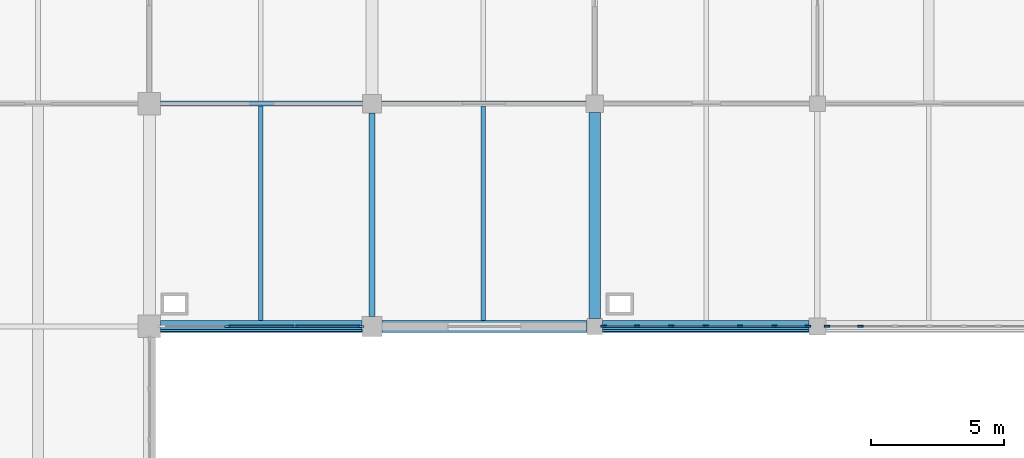
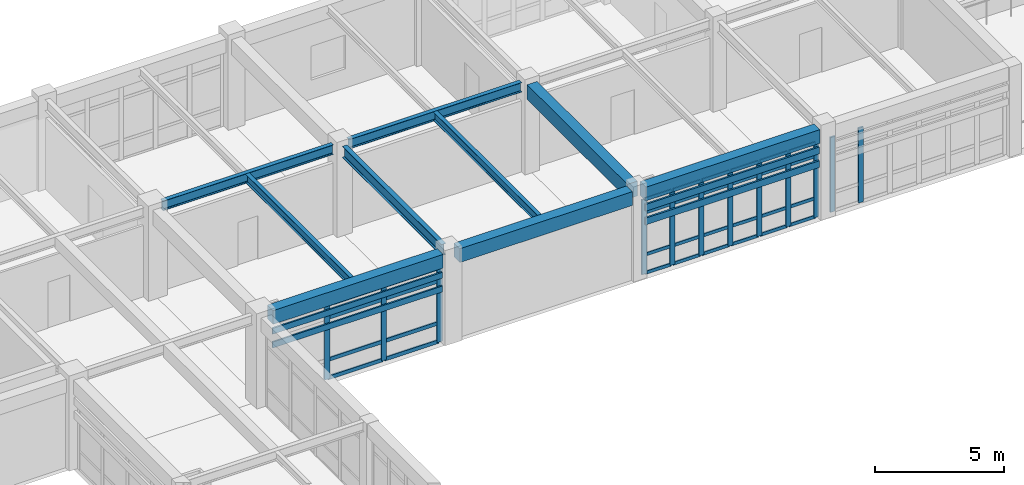
# One storey, part 38 of 78: 48 members, 9 beams, 3 elements without a shape of their own.
"""IFC4 building model written with IfcOpenShell, lengths in metres."""

from ifc_helpers import new_model, si_unit, direction, frame, origin, origin_2d, place, context, subcontext, project, spatial, rectangle, i_section, extrude, material, layer, layer_set, material_profile, profile_set, type_object, element, aggregate, save


model = new_model("IFC4")

# Units and contexts
model_context = context("Model", 3, precision=1e-05, world=origin(), true_north=direction((0.0, 1.0)))
body_context = subcontext(model_context, "Body", "Model", "MODEL_VIEW")
ifc_project = project(units=[si_unit("LENGTHUNIT", "METRE"), si_unit("AREAUNIT", "SQUARE_METRE"), si_unit("VOLUMEUNIT", "CUBIC_METRE"), si_unit("PLANEANGLEUNIT", "RADIAN"), si_unit("MASSUNIT", "GRAM", prefix="KILO")], contexts=[model_context])

# Site, building, storey
site_placement = place(None, origin())
site = spatial("IfcSite", under=ifc_project, at=site_placement, CompositionType="ELEMENT")
building_placement = place(site_placement, origin())
building = spatial("IfcBuilding", under=site, at=building_placement, Name="Porcellanite Civic Hall", CompositionType="ELEMENT")
storey_placement = place(building_placement, frame((0.0, 0.0, 10.260009765625)))
storey = spatial("IfcBuildingStorey", under=building, at=storey_placement, Name="L02", CompositionType="ELEMENT", Elevation=10.260009765625)

# Beams
ifc_material_1 = material(Name="Concrete N50 (50 MPa)", Category="concrete")
ifc_material_profile_1 = material_profile(ifc_material_1, rectangle(XDim=0.449951171875, YDim=0.64990234375, at=origin_2d()), Name="RC-450x650")
ifc_profile_set_1 = profile_set([ifc_material_profile_1], Name="Concrete N50 (50 MPa)")
beam_type_1 = type_object("IfcBeamType", Name="BM-RC650", PredefinedType="SPANDREL", material=ifc_profile_set_1)
beam_1_placement = place(storey_placement, frame((126.424560546875, 100.800048828125, 3.9150390625), z_axis=(1.0, 0.0, 0.0), x_axis=(0.0, 1.0, 0.0)))
element("IfcBeam", 1, at=beam_1_placement, inside=storey, type_object=beam_type_1, Name="Beam X L02 16-13", PredefinedType="SPANDREL", context=body_context, shape_type="SweptSolid", body=[
    extrude(rectangle(XDim=0.449951171875, YDim=0.64990234375, at=origin_2d()), origin(), (0.0, 0.0, 1.0), 7.600830078125),
])
beam_2_placement = place(storey_placement, frame((134.7744140625, 100.800048828125, 3.9150390625), z_axis=(1.0, 0.0, 0.0), x_axis=(0.0, 1.0, 0.0)))
element("IfcBeam", 2, at=beam_2_placement, inside=storey, type_object=beam_type_1, Name="Beam X L02 17-13", PredefinedType="SPANDREL", context=body_context, shape_type="SweptSolid", body=[
    extrude(rectangle(XDim=0.449951171875, YDim=0.64990234375, at=origin_2d()), origin(), (0.0, 0.0, 1.0), 7.72607421875),
])
beam_3_placement = place(storey_placement, frame((143.099609375, 100.800048828125, 3.9150390625), z_axis=(1.0, 0.0, 0.0), x_axis=(0.0, 1.0, 0.0)))
element("IfcBeam", 3, at=beam_3_placement, inside=storey, type_object=beam_type_1, Name="Beam X L02 18-13", PredefinedType="SPANDREL", context=body_context, shape_type="SweptSolid", body=[
    extrude(rectangle(XDim=0.449951171875, YDim=0.64990234375, at=origin_2d()), origin(), (0.0, 0.0, 1.0), 7.77587890625),
])
ifc_material_2 = material(Name="Concrete N50 (50 MPa)", Category="concrete")
ifc_material_profile_2 = material_profile(ifc_material_2, rectangle(XDim=0.449951171875, YDim=0.699951171875, at=origin_2d()), Name="RC-450x700")
ifc_profile_set_2 = profile_set([ifc_material_profile_2], Name="Concrete N50 (50 MPa)")
beam_type_2 = type_object("IfcBeamType", Name="BM-RC700", PredefinedType="BEAM", material=ifc_profile_set_2)
beam_4_placement = place(storey_placement, frame((142.800048828125, 101.099609375, 3.889892578125), z_axis=(0.0, 1.0, 0.0), x_axis=(-1.0, 0.0, 0.0)))
element("IfcBeam", 4, at=beam_4_placement, inside=storey, type_object=beam_type_2, Name="Beam Y L02 18-13", PredefinedType="BEAM", context=body_context, shape_type="SweptSolid", body=[
    extrude(rectangle(XDim=0.449951171875, YDim=0.699951171875, at=origin_2d()), origin(), (0.0, 0.0, 1.0), 7.77587890625),
])

# Curtain wall, members
ifc_material_3 = material(Name="Anodised aluminium and solar laminated glass", Category="aluminium")
ifc_layer_1 = layer(ifc_material_3, 0.179931640625)
ifc_layer_set_1 = layer_set([ifc_layer_1], Name="Anodised aluminium and solar laminated glass")
curtain_wall_type_1 = type_object("IfcCurtainWallType", Name="CW-SYS08", PredefinedType="NOTDEFINED", material=ifc_layer_set_1)
curtain_wall_1_placement = place(storey_placement, origin())
curtain_wall_1 = element("IfcCurtainWall", 5, at=curtain_wall_1_placement, inside=storey, type_object=curtain_wall_type_1, Name="Curtain wall CW-172", PredefinedType="NOTDEFINED")
ifc_material_4 = material(Name="Anodised aluminium 6063-T6", Category="aluminium")
ifc_material_profile_3 = material_profile(ifc_material_4, rectangle(XDim=0.080078125, YDim=0.239990234375, at=origin_2d()), Name="AL-80x240")
ifc_profile_set_3 = profile_set([ifc_material_profile_3], Name="Anodised aluminium 6063-T6")
member_type_1 = type_object("IfcMemberType", Name="CWM-01", PredefinedType="MULLION", material=ifc_profile_set_3)
member_1_placement = place(storey_placement, frame((133.98388671875, 100.800048828125, 0.0), z_axis=(0.0, 0.0, 1.0), x_axis=(0.0, -1.0, 0.0)))
member_1 = element("IfcMember", 6, at=member_1_placement, type_object=member_type_1, Name="CW-172 mullion 1", PredefinedType="MULLION", context=body_context, shape_type="SweptSolid", body=[
    extrude(rectangle(XDim=0.080078125, YDim=0.239990234375, at=origin_2d()), origin(), (0.0, 0.0, 1.0), 3.5400390625),
])
member_2_placement = place(storey_placement, frame((131.491455078125, 100.800048828125, 0.0), z_axis=(0.0, 0.0, 1.0), x_axis=(0.0, -1.0, 0.0)))
member_2 = element("IfcMember", 7, at=member_2_placement, type_object=member_type_1, Name="CW-172 mullion 2", PredefinedType="MULLION", context=body_context, shape_type="SweptSolid", body=[
    extrude(rectangle(XDim=0.080078125, YDim=0.239990234375, at=origin_2d()), origin(), (0.0, 0.0, 1.0), 3.5400390625),
])
member_3_placement = place(storey_placement, frame((128.958740234375, 100.800048828125, 0.0), z_axis=(0.0, 0.0, 1.0), x_axis=(0.0, -1.0, 0.0)))
member_3 = element("IfcMember", 8, at=member_3_placement, type_object=member_type_1, Name="CW-172 mullion 3", PredefinedType="MULLION", context=body_context, shape_type="SweptSolid", body=[
    extrude(rectangle(XDim=0.080078125, YDim=0.239990234375, at=origin_2d()), origin(), (0.0, 0.0, 1.0), 3.5400390625),
])

ifc_material_5 = material(Name="Anodised aluminium and solar laminated glass", Category="aluminium")
ifc_layer_2 = layer(ifc_material_5, 0.179931640625)
ifc_layer_set_2 = layer_set([ifc_layer_2], Name="Anodised aluminium and solar laminated glass")
curtain_wall_type_2 = type_object("IfcCurtainWallType", Name="CW-SYS02", PredefinedType="NOTDEFINED", material=ifc_layer_set_2)
curtain_wall_2_placement = place(storey_placement, origin())
curtain_wall_2 = element("IfcCurtainWall", 9, at=curtain_wall_2_placement, inside=storey, type_object=curtain_wall_type_2, Name="Curtain wall CW-176", PredefinedType="NOTDEFINED")
ifc_material_6 = material(Name="Anodised aluminium 6063-T6", Category="aluminium")
ifc_material_profile_4 = material_profile(ifc_material_6, rectangle(XDim=0.074951171875, YDim=0.219970703125, at=origin_2d()), Name="AL-75x220")
ifc_profile_set_4 = profile_set([ifc_material_profile_4], Name="Anodised aluminium 6063-T6")
member_type_2 = type_object("IfcMemberType", Name="CWM-03", PredefinedType="MULLION", material=ifc_profile_set_4)
member_4_placement = place(storey_placement, frame((150.83642578125, 100.800048828125, 0.0), z_axis=(0.0, 0.0, 1.0), x_axis=(0.0, -1.0, 0.0)))
member_4 = element("IfcMember", 10, at=member_4_placement, type_object=member_type_2, Name="CW-176 mullion 1", PredefinedType="MULLION", context=body_context, shape_type="SweptSolid", body=[
    extrude(rectangle(XDim=0.074951171875, YDim=0.219970703125, at=origin_2d()), origin(), (0.0, 0.0, 1.0), 3.5400390625),
])
member_5_placement = place(storey_placement, frame((149.57861328125, 100.800048828125, 0.0), z_axis=(0.0, 0.0, 1.0), x_axis=(0.0, -1.0, 0.0)))
member_5 = element("IfcMember", 11, at=member_5_placement, type_object=member_type_2, Name="CW-176 mullion 2", PredefinedType="MULLION", context=body_context, shape_type="SweptSolid", body=[
    extrude(rectangle(XDim=0.074951171875, YDim=0.219970703125, at=origin_2d()), origin(), (0.0, 0.0, 1.0), 3.5400390625),
])
member_6_placement = place(storey_placement, frame((148.282958984375, 100.800048828125, 0.0), z_axis=(0.0, 0.0, 1.0), x_axis=(0.0, -1.0, 0.0)))
member_6 = element("IfcMember", 12, at=member_6_placement, type_object=member_type_2, Name="CW-176 mullion 3", PredefinedType="MULLION", context=body_context, shape_type="SweptSolid", body=[
    extrude(rectangle(XDim=0.074951171875, YDim=0.219970703125, at=origin_2d()), origin(), (0.0, 0.0, 1.0), 3.5400390625),
])
member_7_placement = place(storey_placement, frame((146.987548828125, 100.800048828125, 0.0), z_axis=(0.0, 0.0, 1.0), x_axis=(0.0, -1.0, 0.0)))
member_7 = element("IfcMember", 13, at=member_7_placement, type_object=member_type_2, Name="CW-176 mullion 4", PredefinedType="MULLION", context=body_context, shape_type="SweptSolid", body=[
    extrude(rectangle(XDim=0.074951171875, YDim=0.219970703125, at=origin_2d()), origin(), (0.0, 0.0, 1.0), 3.5400390625),
])
member_8_placement = place(storey_placement, frame((145.69189453125, 100.800048828125, 0.0), z_axis=(0.0, 0.0, 1.0), x_axis=(0.0, -1.0, 0.0)))
member_8 = element("IfcMember", 14, at=member_8_placement, type_object=member_type_2, Name="CW-176 mullion 5", PredefinedType="MULLION", context=body_context, shape_type="SweptSolid", body=[
    extrude(rectangle(XDim=0.074951171875, YDim=0.219970703125, at=origin_2d()), origin(), (0.0, 0.0, 1.0), 3.5400390625),
])
member_9_placement = place(storey_placement, frame((144.396484375, 100.800048828125, 0.0), z_axis=(0.0, 0.0, 1.0), x_axis=(0.0, -1.0, 0.0)))
member_9 = element("IfcMember", 15, at=member_9_placement, type_object=member_type_2, Name="CW-176 mullion 6", PredefinedType="MULLION", context=body_context, shape_type="SweptSolid", body=[
    extrude(rectangle(XDim=0.074951171875, YDim=0.219970703125, at=origin_2d()), origin(), (0.0, 0.0, 1.0), 3.5400390625),
])
member_10_placement = place(storey_placement, frame((143.138427734375, 100.800048828125, 0.0), z_axis=(0.0, 0.0, 1.0), x_axis=(0.0, -1.0, 0.0)))
member_10 = element("IfcMember", 16, at=member_10_placement, type_object=member_type_2, Name="CW-176 mullion 7", PredefinedType="MULLION", context=body_context, shape_type="SweptSolid", body=[
    extrude(rectangle(XDim=0.074951171875, YDim=0.219970703125, at=origin_2d()), origin(), (0.0, 0.0, 1.0), 3.5400390625),
])

curtain_wall_3_placement = place(storey_placement, origin())
curtain_wall_3 = element("IfcCurtainWall", 17, at=curtain_wall_3_placement, inside=storey, type_object=curtain_wall_type_2, Name="Curtain wall CW-179", PredefinedType="NOTDEFINED")
member_11_placement = place(storey_placement, frame((152.82568359375, 100.800048828125, 0.0), z_axis=(0.0, 0.0, 1.0), x_axis=(0.0, -1.0, 0.0)))
member_11 = element("IfcMember", 18, at=member_11_placement, type_object=member_type_2, Name="CW-179 mullion 6", PredefinedType="MULLION", context=body_context, shape_type="SweptSolid", body=[
    extrude(rectangle(XDim=0.074951171875, YDim=0.219970703125, at=origin_2d()), origin(), (0.0, 0.0, 1.0), 3.5400390625),
])
member_12_placement = place(storey_placement, frame((151.5634765625, 100.800048828125, 0.0), z_axis=(0.0, 0.0, 1.0), x_axis=(0.0, -1.0, 0.0)))
member_12 = element("IfcMember", 19, at=member_12_placement, type_object=member_type_2, Name="CW-179 mullion 7", PredefinedType="MULLION", context=body_context, shape_type="SweptSolid", body=[
    extrude(rectangle(XDim=0.074951171875, YDim=0.219970703125, at=origin_2d()), origin(), (0.0, 0.0, 1.0), 3.5400390625),
])
aggregate(curtain_wall_3, [member_11, member_12])

# Member
ifc_material_7 = material(Name="Anodised aluminium 6063-T6", Category="aluminium")
ifc_material_profile_5 = material_profile(ifc_material_7, rectangle(XDim=0.070068359375, YDim=0.175048828125, at=origin_2d()), Name="AL-70x175")
ifc_profile_set_5 = profile_set([ifc_material_profile_5], Name="Anodised aluminium 6063-T6")
member_type_3 = type_object("IfcMemberType", Name="CWT-01", PredefinedType="USERDEFINED", material=ifc_profile_set_5)
member_13_placement = place(storey_placement, frame((133.944091796875, 100.800048828125, 0.034912109375), z_axis=(-1.0, 0.0, 0.0), x_axis=(0.0, -1.0, 0.0)))
member_13 = element("IfcMember", 20, at=member_13_placement, type_object=member_type_3, Name="CW-172 transom 1.1", ObjectType="TRANSOM", PredefinedType="USERDEFINED", context=body_context, shape_type="SweptSolid", body=[
    extrude(rectangle(XDim=0.070068359375, YDim=0.175048828125, at=origin_2d()), origin(), (0.0, 0.0, 1.0), 2.412841796875),
])

member_14_placement = place(storey_placement, frame((133.944091796875, 100.800048828125, 0.89990234375), z_axis=(-1.0, 0.0, 0.0), x_axis=(0.0, -1.0, 0.0)))
member_14 = element("IfcMember", 21, at=member_14_placement, type_object=member_type_3, Name="CW-172 transom 1.2", ObjectType="TRANSOM", PredefinedType="USERDEFINED", context=body_context, shape_type="SweptSolid", body=[
    extrude(rectangle(XDim=0.070068359375, YDim=0.175048828125, at=origin_2d()), origin(), (0.0, 0.0, 1.0), 2.412841796875),
])

member_15_placement = place(storey_placement, frame((133.944091796875, 100.800048828125, 2.889892578125), z_axis=(-1.0, 0.0, 0.0), x_axis=(0.0, -1.0, 0.0)))
member_15 = element("IfcMember", 22, at=member_15_placement, type_object=member_type_3, Name="CW-172 transom 1.3", ObjectType="TRANSOM", PredefinedType="USERDEFINED", context=body_context, shape_type="SweptSolid", body=[
    extrude(rectangle(XDim=0.070068359375, YDim=0.175048828125, at=origin_2d()), origin(), (0.0, 0.0, 1.0), 2.412841796875),
])

member_16_placement = place(storey_placement, frame((133.944091796875, 100.800048828125, 3.5048828125), z_axis=(-1.0, 0.0, 0.0), x_axis=(0.0, -1.0, 0.0)))
member_16 = element("IfcMember", 23, at=member_16_placement, type_object=member_type_3, Name="CW-172 transom 1.4", ObjectType="TRANSOM", PredefinedType="USERDEFINED", context=body_context, shape_type="SweptSolid", body=[
    extrude(rectangle(XDim=0.070068359375, YDim=0.175048828125, at=origin_2d()), origin(), (0.0, 0.0, 1.0), 2.412841796875),
])

member_17_placement = place(storey_placement, frame((131.451416015625, 100.800048828125, 0.034912109375), z_axis=(-1.0, 0.0, 0.0), x_axis=(0.0, -1.0, 0.0)))
member_17 = element("IfcMember", 24, at=member_17_placement, type_object=member_type_3, Name="CW-172 transom 2.1", ObjectType="TRANSOM", PredefinedType="USERDEFINED", context=body_context, shape_type="SweptSolid", body=[
    extrude(rectangle(XDim=0.070068359375, YDim=0.175048828125, at=origin_2d()), origin(), (0.0, 0.0, 1.0), 2.45263671875),
])

member_18_placement = place(storey_placement, frame((131.451416015625, 100.800048828125, 0.89990234375), z_axis=(-1.0, 0.0, 0.0), x_axis=(0.0, -1.0, 0.0)))
member_18 = element("IfcMember", 25, at=member_18_placement, type_object=member_type_3, Name="CW-172 transom 2.2", ObjectType="TRANSOM", PredefinedType="USERDEFINED", context=body_context, shape_type="SweptSolid", body=[
    extrude(rectangle(XDim=0.070068359375, YDim=0.175048828125, at=origin_2d()), origin(), (0.0, 0.0, 1.0), 2.45263671875),
])

member_19_placement = place(storey_placement, frame((131.451416015625, 100.800048828125, 2.889892578125), z_axis=(-1.0, 0.0, 0.0), x_axis=(0.0, -1.0, 0.0)))
member_19 = element("IfcMember", 26, at=member_19_placement, type_object=member_type_3, Name="CW-172 transom 2.3", ObjectType="TRANSOM", PredefinedType="USERDEFINED", context=body_context, shape_type="SweptSolid", body=[
    extrude(rectangle(XDim=0.070068359375, YDim=0.175048828125, at=origin_2d()), origin(), (0.0, 0.0, 1.0), 2.45263671875),
])

member_20_placement = place(storey_placement, frame((131.451416015625, 100.800048828125, 3.5048828125), z_axis=(-1.0, 0.0, 0.0), x_axis=(0.0, -1.0, 0.0)))
member_20 = element("IfcMember", 27, at=member_20_placement, type_object=member_type_3, Name="CW-172 transom 2.4", ObjectType="TRANSOM", PredefinedType="USERDEFINED", context=body_context, shape_type="SweptSolid", body=[
    extrude(rectangle(XDim=0.070068359375, YDim=0.175048828125, at=origin_2d()), origin(), (0.0, 0.0, 1.0), 2.45263671875),
])

aggregate(curtain_wall_1, [member_1, member_2, member_3, member_13, member_14, member_15, member_16, member_17, member_18, member_19, member_20])

ifc_material_8 = material(Name="Anodised aluminium 6063-T6", Category="aluminium")
ifc_material_profile_6 = material_profile(ifc_material_8, rectangle(XDim=0.06494140625, YDim=0.14990234375, at=origin_2d()), Name="AL-65x150")
ifc_profile_set_6 = profile_set([ifc_material_profile_6], Name="Anodised aluminium 6063-T6")
member_type_4 = type_object("IfcMemberType", Name="CWT-02", PredefinedType="USERDEFINED", material=ifc_profile_set_6)
member_21_placement = place(storey_placement, frame((150.799072265625, 100.800048828125, 0.032470703125), z_axis=(-1.0, 0.0, 0.0), x_axis=(0.0, -1.0, 0.0)))
member_21 = element("IfcMember", 28, at=member_21_placement, type_object=member_type_4, Name="CW-176 transom 1.1", ObjectType="TRANSOM", PredefinedType="USERDEFINED", context=body_context, shape_type="SweptSolid", body=[
    extrude(rectangle(XDim=0.06494140625, YDim=0.14990234375, at=origin_2d()), origin(), (0.0, 0.0, 1.0), 1.18310546875),
])

member_22_placement = place(storey_placement, frame((150.799072265625, 100.800048828125, 0.89990234375), z_axis=(-1.0, 0.0, 0.0), x_axis=(0.0, -1.0, 0.0)))
member_22 = element("IfcMember", 29, at=member_22_placement, type_object=member_type_4, Name="CW-176 transom 1.2", ObjectType="TRANSOM", PredefinedType="USERDEFINED", context=body_context, shape_type="SweptSolid", body=[
    extrude(rectangle(XDim=0.06494140625, YDim=0.14990234375, at=origin_2d()), origin(), (0.0, 0.0, 1.0), 1.18310546875),
])

member_23_placement = place(storey_placement, frame((150.799072265625, 100.800048828125, 2.889892578125), z_axis=(-1.0, 0.0, 0.0), x_axis=(0.0, -1.0, 0.0)))
member_23 = element("IfcMember", 30, at=member_23_placement, type_object=member_type_4, Name="CW-176 transom 1.3", ObjectType="TRANSOM", PredefinedType="USERDEFINED", context=body_context, shape_type="SweptSolid", body=[
    extrude(rectangle(XDim=0.06494140625, YDim=0.14990234375, at=origin_2d()), origin(), (0.0, 0.0, 1.0), 1.18310546875),
])

member_24_placement = place(storey_placement, frame((150.799072265625, 100.800048828125, 3.507568359375), z_axis=(-1.0, 0.0, 0.0), x_axis=(0.0, -1.0, 0.0)))
member_24 = element("IfcMember", 31, at=member_24_placement, type_object=member_type_4, Name="CW-176 transom 1.4", ObjectType="TRANSOM", PredefinedType="USERDEFINED", context=body_context, shape_type="SweptSolid", body=[
    extrude(rectangle(XDim=0.06494140625, YDim=0.14990234375, at=origin_2d()), origin(), (0.0, 0.0, 1.0), 1.18310546875),
])

member_25_placement = place(storey_placement, frame((149.541015625, 100.800048828125, 0.032470703125), z_axis=(-1.0, 0.0, 0.0), x_axis=(0.0, -1.0, 0.0)))
member_25 = element("IfcMember", 32, at=member_25_placement, type_object=member_type_4, Name="CW-176 transom 2.1", ObjectType="TRANSOM", PredefinedType="USERDEFINED", context=body_context, shape_type="SweptSolid", body=[
    extrude(rectangle(XDim=0.06494140625, YDim=0.14990234375, at=origin_2d()), origin(), (0.0, 0.0, 1.0), 1.220458984375),
])

member_26_placement = place(storey_placement, frame((149.541015625, 100.800048828125, 0.89990234375), z_axis=(-1.0, 0.0, 0.0), x_axis=(0.0, -1.0, 0.0)))
member_26 = element("IfcMember", 33, at=member_26_placement, type_object=member_type_4, Name="CW-176 transom 2.2", ObjectType="TRANSOM", PredefinedType="USERDEFINED", context=body_context, shape_type="SweptSolid", body=[
    extrude(rectangle(XDim=0.06494140625, YDim=0.14990234375, at=origin_2d()), origin(), (0.0, 0.0, 1.0), 1.220458984375),
])

member_27_placement = place(storey_placement, frame((149.541015625, 100.800048828125, 2.889892578125), z_axis=(-1.0, 0.0, 0.0), x_axis=(0.0, -1.0, 0.0)))
member_27 = element("IfcMember", 34, at=member_27_placement, type_object=member_type_4, Name="CW-176 transom 2.3", ObjectType="TRANSOM", PredefinedType="USERDEFINED", context=body_context, shape_type="SweptSolid", body=[
    extrude(rectangle(XDim=0.06494140625, YDim=0.14990234375, at=origin_2d()), origin(), (0.0, 0.0, 1.0), 1.220458984375),
])

member_28_placement = place(storey_placement, frame((149.541015625, 100.800048828125, 3.507568359375), z_axis=(-1.0, 0.0, 0.0), x_axis=(0.0, -1.0, 0.0)))
member_28 = element("IfcMember", 35, at=member_28_placement, type_object=member_type_4, Name="CW-176 transom 2.4", ObjectType="TRANSOM", PredefinedType="USERDEFINED", context=body_context, shape_type="SweptSolid", body=[
    extrude(rectangle(XDim=0.06494140625, YDim=0.14990234375, at=origin_2d()), origin(), (0.0, 0.0, 1.0), 1.220458984375),
])

member_29_placement = place(storey_placement, frame((148.24560546875, 100.800048828125, 0.032470703125), z_axis=(-1.0, 0.0, 0.0), x_axis=(0.0, -1.0, 0.0)))
member_29 = element("IfcMember", 36, at=member_29_placement, type_object=member_type_4, Name="CW-176 transom 3.1", ObjectType="TRANSOM", PredefinedType="USERDEFINED", context=body_context, shape_type="SweptSolid", body=[
    extrude(rectangle(XDim=0.06494140625, YDim=0.14990234375, at=origin_2d()), origin(), (0.0, 0.0, 1.0), 1.220703125),
])

member_30_placement = place(storey_placement, frame((148.24560546875, 100.800048828125, 0.89990234375), z_axis=(-1.0, 0.0, 0.0), x_axis=(0.0, -1.0, 0.0)))
member_30 = element("IfcMember", 37, at=member_30_placement, type_object=member_type_4, Name="CW-176 transom 3.2", ObjectType="TRANSOM", PredefinedType="USERDEFINED", context=body_context, shape_type="SweptSolid", body=[
    extrude(rectangle(XDim=0.06494140625, YDim=0.14990234375, at=origin_2d()), origin(), (0.0, 0.0, 1.0), 1.220703125),
])

member_31_placement = place(storey_placement, frame((148.24560546875, 100.800048828125, 2.889892578125), z_axis=(-1.0, 0.0, 0.0), x_axis=(0.0, -1.0, 0.0)))
member_31 = element("IfcMember", 38, at=member_31_placement, type_object=member_type_4, Name="CW-176 transom 3.3", ObjectType="TRANSOM", PredefinedType="USERDEFINED", context=body_context, shape_type="SweptSolid", body=[
    extrude(rectangle(XDim=0.06494140625, YDim=0.14990234375, at=origin_2d()), origin(), (0.0, 0.0, 1.0), 1.220703125),
])

member_32_placement = place(storey_placement, frame((148.24560546875, 100.800048828125, 3.507568359375), z_axis=(-1.0, 0.0, 0.0), x_axis=(0.0, -1.0, 0.0)))
member_32 = element("IfcMember", 39, at=member_32_placement, type_object=member_type_4, Name="CW-176 transom 3.4", ObjectType="TRANSOM", PredefinedType="USERDEFINED", context=body_context, shape_type="SweptSolid", body=[
    extrude(rectangle(XDim=0.06494140625, YDim=0.14990234375, at=origin_2d()), origin(), (0.0, 0.0, 1.0), 1.220703125),
])

member_33_placement = place(storey_placement, frame((146.949951171875, 100.800048828125, 0.032470703125), z_axis=(-1.0, 0.0, 0.0), x_axis=(0.0, -1.0, 0.0)))
member_33 = element("IfcMember", 40, at=member_33_placement, type_object=member_type_4, Name="CW-176 transom 4.1", ObjectType="TRANSOM", PredefinedType="USERDEFINED", context=body_context, shape_type="SweptSolid", body=[
    extrude(rectangle(XDim=0.06494140625, YDim=0.14990234375, at=origin_2d()), origin(), (0.0, 0.0, 1.0), 1.220458984375),
])

member_34_placement = place(storey_placement, frame((146.949951171875, 100.800048828125, 0.89990234375), z_axis=(-1.0, 0.0, 0.0), x_axis=(0.0, -1.0, 0.0)))
member_34 = element("IfcMember", 41, at=member_34_placement, type_object=member_type_4, Name="CW-176 transom 4.2", ObjectType="TRANSOM", PredefinedType="USERDEFINED", context=body_context, shape_type="SweptSolid", body=[
    extrude(rectangle(XDim=0.06494140625, YDim=0.14990234375, at=origin_2d()), origin(), (0.0, 0.0, 1.0), 1.220458984375),
])

member_35_placement = place(storey_placement, frame((146.949951171875, 100.800048828125, 2.889892578125), z_axis=(-1.0, 0.0, 0.0), x_axis=(0.0, -1.0, 0.0)))
member_35 = element("IfcMember", 42, at=member_35_placement, type_object=member_type_4, Name="CW-176 transom 4.3", ObjectType="TRANSOM", PredefinedType="USERDEFINED", context=body_context, shape_type="SweptSolid", body=[
    extrude(rectangle(XDim=0.06494140625, YDim=0.14990234375, at=origin_2d()), origin(), (0.0, 0.0, 1.0), 1.220458984375),
])

member_36_placement = place(storey_placement, frame((146.949951171875, 100.800048828125, 3.507568359375), z_axis=(-1.0, 0.0, 0.0), x_axis=(0.0, -1.0, 0.0)))
member_36 = element("IfcMember", 43, at=member_36_placement, type_object=member_type_4, Name="CW-176 transom 4.4", ObjectType="TRANSOM", PredefinedType="USERDEFINED", context=body_context, shape_type="SweptSolid", body=[
    extrude(rectangle(XDim=0.06494140625, YDim=0.14990234375, at=origin_2d()), origin(), (0.0, 0.0, 1.0), 1.220458984375),
])

member_37_placement = place(storey_placement, frame((145.654541015625, 100.800048828125, 0.032470703125), z_axis=(-1.0, 0.0, 0.0), x_axis=(0.0, -1.0, 0.0)))
member_37 = element("IfcMember", 44, at=member_37_placement, type_object=member_type_4, Name="CW-176 transom 5.1", ObjectType="TRANSOM", PredefinedType="USERDEFINED", context=body_context, shape_type="SweptSolid", body=[
    extrude(rectangle(XDim=0.06494140625, YDim=0.14990234375, at=origin_2d()), origin(), (0.0, 0.0, 1.0), 1.220458984375),
])

member_38_placement = place(storey_placement, frame((145.654541015625, 100.800048828125, 0.89990234375), z_axis=(-1.0, 0.0, 0.0), x_axis=(0.0, -1.0, 0.0)))
member_38 = element("IfcMember", 45, at=member_38_placement, type_object=member_type_4, Name="CW-176 transom 5.2", ObjectType="TRANSOM", PredefinedType="USERDEFINED", context=body_context, shape_type="SweptSolid", body=[
    extrude(rectangle(XDim=0.06494140625, YDim=0.14990234375, at=origin_2d()), origin(), (0.0, 0.0, 1.0), 1.220458984375),
])

member_39_placement = place(storey_placement, frame((145.654541015625, 100.800048828125, 2.889892578125), z_axis=(-1.0, 0.0, 0.0), x_axis=(0.0, -1.0, 0.0)))
member_39 = element("IfcMember", 46, at=member_39_placement, type_object=member_type_4, Name="CW-176 transom 5.3", ObjectType="TRANSOM", PredefinedType="USERDEFINED", context=body_context, shape_type="SweptSolid", body=[
    extrude(rectangle(XDim=0.06494140625, YDim=0.14990234375, at=origin_2d()), origin(), (0.0, 0.0, 1.0), 1.220458984375),
])

member_40_placement = place(storey_placement, frame((145.654541015625, 100.800048828125, 3.507568359375), z_axis=(-1.0, 0.0, 0.0), x_axis=(0.0, -1.0, 0.0)))
member_40 = element("IfcMember", 47, at=member_40_placement, type_object=member_type_4, Name="CW-176 transom 5.4", ObjectType="TRANSOM", PredefinedType="USERDEFINED", context=body_context, shape_type="SweptSolid", body=[
    extrude(rectangle(XDim=0.06494140625, YDim=0.14990234375, at=origin_2d()), origin(), (0.0, 0.0, 1.0), 1.220458984375),
])

member_41_placement = place(storey_placement, frame((144.35888671875, 100.800048828125, 0.032470703125), z_axis=(-1.0, 0.0, 0.0), x_axis=(0.0, -1.0, 0.0)))
member_41 = element("IfcMember", 48, at=member_41_placement, type_object=member_type_4, Name="CW-176 transom 6.1", ObjectType="TRANSOM", PredefinedType="USERDEFINED", context=body_context, shape_type="SweptSolid", body=[
    extrude(rectangle(XDim=0.06494140625, YDim=0.14990234375, at=origin_2d()), origin(), (0.0, 0.0, 1.0), 1.182861328125),
])

member_42_placement = place(storey_placement, frame((144.35888671875, 100.800048828125, 0.89990234375), z_axis=(-1.0, 0.0, 0.0), x_axis=(0.0, -1.0, 0.0)))
member_42 = element("IfcMember", 49, at=member_42_placement, type_object=member_type_4, Name="CW-176 transom 6.2", ObjectType="TRANSOM", PredefinedType="USERDEFINED", context=body_context, shape_type="SweptSolid", body=[
    extrude(rectangle(XDim=0.06494140625, YDim=0.14990234375, at=origin_2d()), origin(), (0.0, 0.0, 1.0), 1.182861328125),
])

member_43_placement = place(storey_placement, frame((144.35888671875, 100.800048828125, 2.889892578125), z_axis=(-1.0, 0.0, 0.0), x_axis=(0.0, -1.0, 0.0)))
member_43 = element("IfcMember", 50, at=member_43_placement, type_object=member_type_4, Name="CW-176 transom 6.3", ObjectType="TRANSOM", PredefinedType="USERDEFINED", context=body_context, shape_type="SweptSolid", body=[
    extrude(rectangle(XDim=0.06494140625, YDim=0.14990234375, at=origin_2d()), origin(), (0.0, 0.0, 1.0), 1.182861328125),
])

member_44_placement = place(storey_placement, frame((144.35888671875, 100.800048828125, 3.507568359375), z_axis=(-1.0, 0.0, 0.0), x_axis=(0.0, -1.0, 0.0)))
member_44 = element("IfcMember", 51, at=member_44_placement, type_object=member_type_4, Name="CW-176 transom 6.4", ObjectType="TRANSOM", PredefinedType="USERDEFINED", context=body_context, shape_type="SweptSolid", body=[
    extrude(rectangle(XDim=0.06494140625, YDim=0.14990234375, at=origin_2d()), origin(), (0.0, 0.0, 1.0), 1.182861328125),
])

aggregate(curtain_wall_2, [member_4, member_5, member_6, member_7, member_8, member_9, member_10, member_21, member_22, member_23, member_24, member_25, member_26, member_27, member_28, member_29, member_30, member_31, member_32, member_33, member_34, member_35, member_36, member_37, member_38, member_39, member_40, member_41, member_42, member_43, member_44])

# Beams
ifc_material_9 = material(Name="Steel Grade 350", Category="steel")
ifc_material_profile_7 = material_profile(ifc_material_9, i_section(OverallWidth=0.177978515625, OverallDepth=0.403076171875, WebThickness=0.007568359375, FlangeThickness=0.010986328125, FilletRadius=0.011474609375, at=origin_2d()), Name="410UB53.7")
ifc_profile_set_7 = profile_set([ifc_material_profile_7], Name="Steel Grade 350")
beam_type_3 = type_object("IfcBeamType", Name="JST-410UB54", PredefinedType="JOIST", material=ifc_profile_set_7)
beam_5_placement = place(storey_placement, frame((138.60009765625, 101.0244140625, 4.03857421875), z_axis=(0.0, 1.0, 0.0), x_axis=(-1.0, 0.0, 0.0)))
element("IfcBeam", 52, at=beam_5_placement, inside=storey, type_object=beam_type_3, Name="Secondary joist L02 17-13", PredefinedType="JOIST", context=body_context, shape_type="SweptSolid", body=[
    extrude(i_section(OverallWidth=0.177978515625, OverallDepth=0.403076171875, WebThickness=0.007568359375, FlangeThickness=0.010986328125, FilletRadius=0.011474609375, at=origin_2d()), origin(), (0.0, 0.0, 1.0), 8.0810546875),
])
ifc_material_10 = material(Name="Steel Grade 350", Category="steel")
ifc_material_profile_8 = material_profile(ifc_material_10, i_section(OverallWidth=0.177978515625, OverallDepth=0.406005859375, WebThickness=0.0078125, FlangeThickness=0.0126953125, FilletRadius=0.011474609375, at=origin_2d()), Name="410UB59.7")
ifc_profile_set_8 = profile_set([ifc_material_profile_8], Name="Steel Grade 350")
beam_type_4 = type_object("IfcBeamType", Name="JST-410UB60", PredefinedType="JOIST", material=ifc_profile_set_8)
beam_6_placement = place(storey_placement, frame((130.199951171875, 101.0244140625, 4.037109375), z_axis=(0.0, 1.0, 0.0), x_axis=(-1.0, 0.0, 0.0)))
element("IfcBeam", 53, at=beam_6_placement, inside=storey, type_object=beam_type_4, Name="Secondary joist L02 16-13", PredefinedType="JOIST", context=body_context, shape_type="SweptSolid", body=[
    extrude(i_section(OverallWidth=0.177978515625, OverallDepth=0.406005859375, WebThickness=0.0078125, FlangeThickness=0.0126953125, FilletRadius=0.011474609375, at=origin_2d()), origin(), (0.0, 0.0, 1.0), 8.0810546875),
])

# Members
ifc_material_11 = material(Name="Fluoropolymer bauxite-red aluminium 6063-T6", Category="aluminium")
ifc_material_profile_9 = material_profile(ifc_material_11, rectangle(XDim=0.080078125, YDim=0.320068359375, at=origin_2d()), Name="AL-80x320")
ifc_profile_set_9 = profile_set([ifc_material_profile_9], Name="Fluoropolymer bauxite-red aluminium 6063-T6")
member_type_5 = type_object("IfcMemberType", Name="LV-BLD03", PredefinedType="USERDEFINED", material=ifc_profile_set_9)
for number, where, z_axis, x_axis, name in (
    (54, (150.87548828125, 100.64794921875, 3.239990234375), (-1.0, 0.0, 0.0), (0.0, -1.0, 0.0), "Cyclone sunshade louvre L02 S 17-12 1"),
    (55, (150.87548828125, 100.64794921875, 2.590087890625), (-1.0, 0.0, 0.0), (0.0, -1.0, 0.0), "Cyclone sunshade louvre L02 S 17-12 2"),
):
    element("IfcMember", number, at=place(storey_placement, frame(where, z_axis=z_axis, x_axis=x_axis)), inside=storey, type_object=member_type_5, Name=name, ObjectType="LOUVRE BLADE", PredefinedType="USERDEFINED", context=body_context, shape_type="SweptSolid", body=[
        extrude(rectangle(XDim=0.080078125, YDim=0.320068359375, at=origin_2d()), origin(), (0.0, 0.0, 1.0), 7.77587890625),
    ])
ifc_material_12 = material(Name="Fluoropolymer bauxite-red aluminium 6063-T6", Category="aluminium")
ifc_material_profile_10 = material_profile(ifc_material_12, rectangle(XDim=0.070068359375, YDim=0.280029296875, at=origin_2d()), Name="AL-70x280")
ifc_profile_set_10 = profile_set([ifc_material_profile_10], Name="Fluoropolymer bauxite-red aluminium 6063-T6")
member_type_6 = type_object("IfcMemberType", Name="LV-BLD05", PredefinedType="USERDEFINED", material=ifc_profile_set_10)
for number, where, z_axis, x_axis, name in (
    (56, (134.025390625, 100.64306640625, 3.239990234375), (-1.0, 0.0, 0.0), (0.0, -1.0, 0.0), "Cyclone sunshade louvre L02 S 15-12 1"),
    (57, (134.025390625, 100.64306640625, 2.590087890625), (-1.0, 0.0, 0.0), (0.0, -1.0, 0.0), "Cyclone sunshade louvre L02 S 15-12 2"),
):
    element("IfcMember", number, at=place(storey_placement, frame(where, z_axis=z_axis, x_axis=x_axis)), inside=storey, type_object=member_type_6, Name=name, ObjectType="LOUVRE BLADE", PredefinedType="USERDEFINED", context=body_context, shape_type="SweptSolid", body=[
        extrude(rectangle(XDim=0.070068359375, YDim=0.280029296875, at=origin_2d()), origin(), (0.0, 0.0, 1.0), 7.600830078125),
    ])

# Beams
ifc_material_13 = material(Name="Steel Grade 350", Category="steel")
ifc_material_profile_11 = material_profile(ifc_material_13, i_section(OverallWidth=0.18994140625, OverallDepth=0.4541015625, WebThickness=0.008544921875, FlangeThickness=0.0126953125, FilletRadius=0.011474609375, at=origin_2d()), Name="460UB67.1")
ifc_profile_set_11 = profile_set([ifc_material_profile_11], Name="Steel Grade 350")
beam_type_5 = type_object("IfcBeamType", Name="RAF-460UB67", PredefinedType="BEAM", material=ifc_profile_set_11)
beam_7_placement = place(storey_placement, frame((126.424560546875, 109.199951171875, 4.012939453125), z_axis=(1.0, 0.0, 0.0), x_axis=(0.0, 1.0, 0.0)))
element("IfcBeam", 58, at=beam_7_placement, inside=storey, type_object=beam_type_5, Name="Beam X L02 16-14", PredefinedType="BEAM", context=body_context, shape_type="SweptSolid", body=[
    extrude(i_section(OverallWidth=0.18994140625, OverallDepth=0.4541015625, WebThickness=0.008544921875, FlangeThickness=0.0126953125, FilletRadius=0.011474609375, at=origin_2d()), origin(), (0.0, 0.0, 1.0), 7.6259765625),
])
beam_8_placement = place(storey_placement, frame((134.74951171875, 109.199951171875, 4.012939453125), z_axis=(1.0, 0.0, 0.0), x_axis=(0.0, 1.0, 0.0)))
element("IfcBeam", 59, at=beam_8_placement, inside=storey, type_object=beam_type_5, Name="Beam X L02 17-14", PredefinedType="BEAM", context=body_context, shape_type="SweptSolid", body=[
    extrude(i_section(OverallWidth=0.18994140625, OverallDepth=0.4541015625, WebThickness=0.008544921875, FlangeThickness=0.0126953125, FilletRadius=0.011474609375, at=origin_2d()), origin(), (0.0, 0.0, 1.0), 7.72607421875),
])
ifc_material_14 = material(Name="Steel Grade 350", Category="steel")
ifc_material_profile_12 = material_profile(ifc_material_14, i_section(OverallWidth=0.208984375, OverallDepth=0.528076171875, WebThickness=0.009521484375, FlangeThickness=0.01318359375, FilletRadius=0.013916015625, at=origin_2d()), Name="530UB82.0")
ifc_profile_set_12 = profile_set([ifc_material_profile_12], Name="Steel Grade 350")
beam_type_6 = type_object("IfcBeamType", Name="RAF-530UB82", PredefinedType="BEAM", material=ifc_profile_set_12)
beam_9_placement = place(storey_placement, frame((134.39990234375, 101.174560546875, 3.97607421875), z_axis=(0.0, 1.0, 0.0), x_axis=(-1.0, 0.0, 0.0)))
element("IfcBeam", 60, at=beam_9_placement, inside=storey, type_object=beam_type_6, Name="Beam Y L02 17-13", PredefinedType="BEAM", context=body_context, shape_type="SweptSolid", body=[
    extrude(i_section(OverallWidth=0.208984375, OverallDepth=0.528076171875, WebThickness=0.009521484375, FlangeThickness=0.01318359375, FilletRadius=0.013916015625, at=origin_2d()), origin(), (0.0, 0.0, 1.0), 7.676025390625),
])

save(model, "model.ifc")
